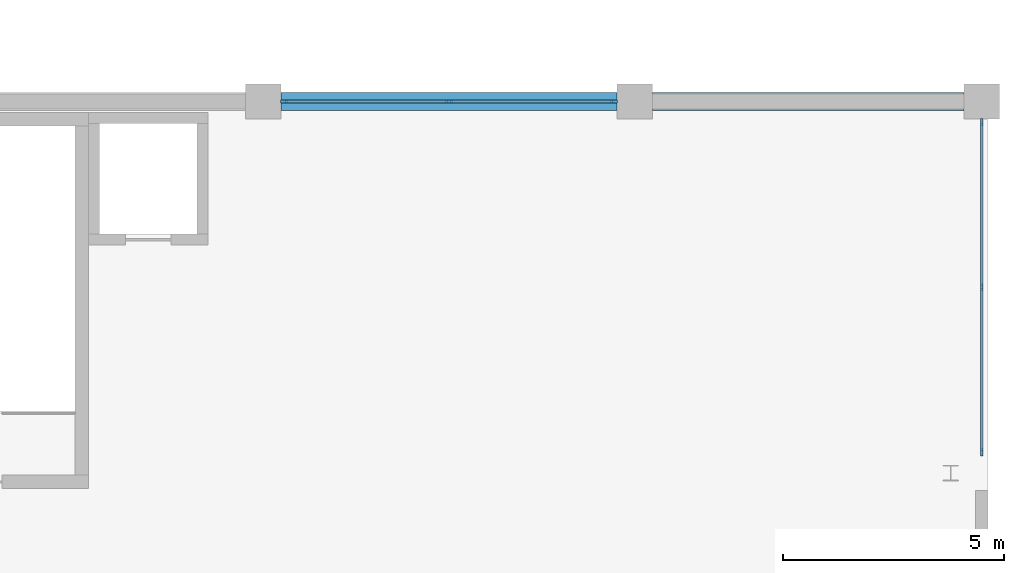
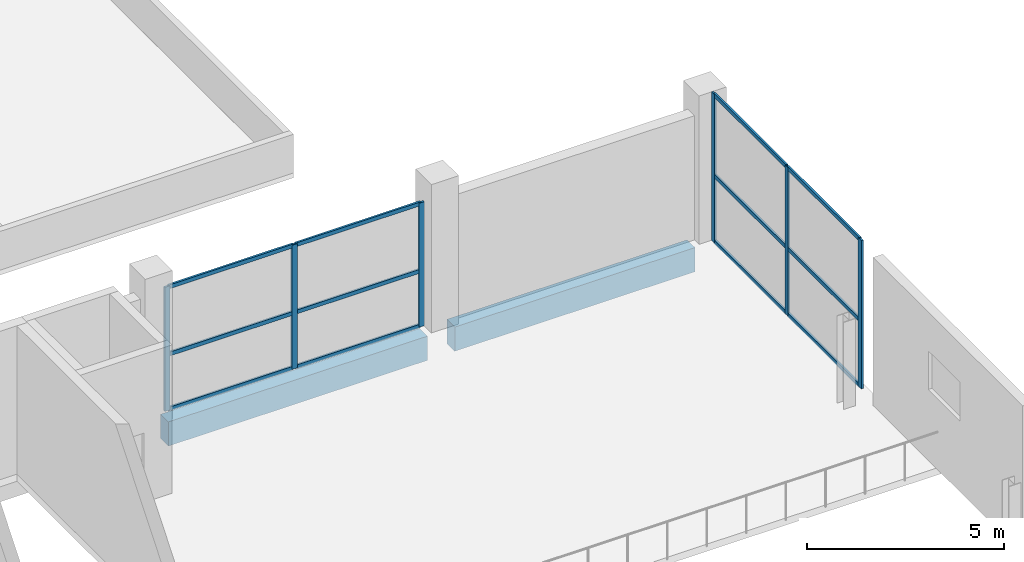
# One storey, part 16 of 31: 18 members, 2 beams, 2 elements without a shape of their own.
"""IFC4 building model written with IfcOpenShell, lengths in metres."""

from ifc_helpers import new_model, si_unit, direction, frame, origin, origin_2d, place, context, subcontext, project, spatial, rectangle, extrude, material, material_profile, profile_set, type_object, element, aggregate, save


model = new_model("IFC4")

# Units and contexts
model_context = context("Model", 3, precision=1e-05, world=origin(), true_north=direction((0.0, 1.0)))
body_context = subcontext(model_context, "Body", "Model", "MODEL_VIEW")
ifc_project = project(units=[si_unit("LENGTHUNIT", "METRE"), si_unit("AREAUNIT", "SQUARE_METRE"), si_unit("VOLUMEUNIT", "CUBIC_METRE"), si_unit("PLANEANGLEUNIT", "RADIAN"), si_unit("MASSUNIT", "GRAM", prefix="KILO")], contexts=[model_context])

# Site, building, storey
site_placement = place(None, origin())
site = spatial("IfcSite", under=ifc_project, at=site_placement, CompositionType="ELEMENT")
building_placement = place(site_placement, origin())
building = spatial("IfcBuilding", under=site, at=building_placement, Name="Brinegate Botanical Conservatory", CompositionType="ELEMENT")
storey_placement = place(building_placement, frame((0.0, 0.0, 5.39990234375)))
storey = spatial("IfcBuildingStorey", under=building, at=storey_placement, Name="L02", CompositionType="ELEMENT", Elevation=5.39990234375)

# Beams
ifc_material_1 = material(Name="Concrete C50/60", Category="concrete")
ifc_material_profile_1 = material_profile(ifc_material_1, rectangle(XDim=0.39990234375, YDim=0.75, at=origin_2d()), Name="RC BM 400x750")
ifc_profile_set_1 = profile_set([ifc_material_profile_1], Name="Concrete C50/60")
beam_type = type_object("IfcBeamType", Name="Beam_BM-T1", PredefinedType="BEAM", material=ifc_profile_set_1)
beam_1_placement = place(storey_placement, frame((147.60009765625, 42.0, -0.594970703125), z_axis=(1.0, 0.0, 0.0), x_axis=(0.0, 1.0, 0.0)))
element("IfcBeam", 1, at=beam_1_placement, inside=storey, type_object=beam_type, Name="Beam BM-T1 L02 F:19-20", PredefinedType="BEAM", context=body_context, shape_type="SweptSolid", body=[
    extrude(rectangle(XDim=0.39990234375, YDim=0.75, at=origin_2d()), origin(), (0.0, 0.0, 1.0), 7.599853515625),
])
beam_2_placement = place(storey_placement, frame((156.0, 42.0, -0.594970703125), z_axis=(1.0, 0.0, 0.0), x_axis=(0.0, 1.0, 0.0)))
element("IfcBeam", 2, at=beam_2_placement, inside=storey, type_object=beam_type, Name="Beam BM-T1 L02 F:20-21", PredefinedType="BEAM", context=body_context, shape_type="SweptSolid", body=[
    extrude(rectangle(XDim=0.39990234375, YDim=0.75, at=origin_2d()), origin(), (0.0, 0.0, 1.0), 7.050048828125),
])

# Curtain wall, members
ifc_material_2 = material(Name="Thermally broken anodised aluminium AW-6063-T6", Category="aluminium")
curtain_wall_type = type_object("IfcCurtainWallType", Name="CW_CW-V2", PredefinedType="USERDEFINED", material=ifc_material_2)
curtain_wall_1_placement = place(storey_placement, origin())
curtain_wall_1 = element("IfcCurtainWall", 3, at=curtain_wall_1_placement, inside=storey, type_object=curtain_wall_type, Name="Auditorium upper foyer curtain wall", ObjectType="FACTORY CURTAIN WALL", PredefinedType="USERDEFINED")
ifc_material_profile_2 = material_profile(ifc_material_2, rectangle(XDim=0.06005859375, YDim=0.159912109375, at=origin_2d()), Name="ALUM MULLION 60x160")
ifc_profile_set_2 = profile_set([ifc_material_profile_2], Name="Thermally broken anodised aluminium AW-6063-T6")
member_type_1 = type_object("IfcMemberType", Name="Member_ML-01", PredefinedType="MULLION", material=ifc_profile_set_2)
member_1_placement = place(storey_placement, frame((163.449951171875, 41.530029296875, 0.0), z_axis=(0.0, 0.0, 1.0), x_axis=(1.0, 0.0, 0.0)))
member_1 = element("IfcMember", 4, at=member_1_placement, type_object=member_type_1, Name="CW-V2 mullion 1", PredefinedType="MULLION", context=body_context, shape_type="SweptSolid", body=[
    extrude(rectangle(XDim=0.06005859375, YDim=0.159912109375, at=origin_2d()), origin(), (0.0, 0.0, 1.0), 4.60009765625),
])
member_2_placement = place(storey_placement, frame((163.449951171875, 37.800048828125, 0.0), z_axis=(0.0, 0.0, 1.0), x_axis=(1.0, 0.0, 0.0)))
member_2 = element("IfcMember", 5, at=member_2_placement, type_object=member_type_1, Name="CW-V2 mullion 2", PredefinedType="MULLION", context=body_context, shape_type="SweptSolid", body=[
    extrude(rectangle(XDim=0.06005859375, YDim=0.159912109375, at=origin_2d()), origin(), (0.0, 0.0, 1.0), 4.60009765625),
])
member_3_placement = place(storey_placement, frame((163.449951171875, 34.070068359375, 0.0), z_axis=(0.0, 0.0, 1.0), x_axis=(1.0, 0.0, 0.0)))
member_3 = element("IfcMember", 6, at=member_3_placement, type_object=member_type_1, Name="CW-V2 mullion 3", PredefinedType="MULLION", context=body_context, shape_type="SweptSolid", body=[
    extrude(rectangle(XDim=0.06005859375, YDim=0.159912109375, at=origin_2d()), origin(), (0.0, 0.0, 1.0), 4.60009765625),
])

curtain_wall_2_placement = place(storey_placement, origin())
curtain_wall_2 = element("IfcCurtainWall", 7, at=curtain_wall_2_placement, inside=storey, type_object=curtain_wall_type, Name="Auditorium north foyer curtain bay L02", ObjectType="FACTORY CURTAIN WALL", PredefinedType="USERDEFINED")
member_4_placement = place(storey_placement, frame((147.669921875, 42.0, 0.0), z_axis=(0.0, 0.0, 1.0), x_axis=(0.0, 1.0, 0.0)))
member_4 = element("IfcMember", 8, at=member_4_placement, type_object=member_type_1, Name="CW-V2 mullion 1", PredefinedType="MULLION", context=body_context, shape_type="SweptSolid", body=[
    extrude(rectangle(XDim=0.06005859375, YDim=0.159912109375, at=origin_2d()), origin(), (0.0, 0.0, 1.0), 3.85009765625),
])
member_5_placement = place(storey_placement, frame((151.39990234375, 42.0, 0.0), z_axis=(0.0, 0.0, 1.0), x_axis=(0.0, 1.0, 0.0)))
member_5 = element("IfcMember", 9, at=member_5_placement, type_object=member_type_1, Name="CW-V2 mullion 2", PredefinedType="MULLION", context=body_context, shape_type="SweptSolid", body=[
    extrude(rectangle(XDim=0.06005859375, YDim=0.159912109375, at=origin_2d()), origin(), (0.0, 0.0, 1.0), 3.85009765625),
])
member_6_placement = place(storey_placement, frame((155.1298828125, 42.0, 0.0), z_axis=(0.0, 0.0, 1.0), x_axis=(0.0, 1.0, 0.0)))
member_6 = element("IfcMember", 10, at=member_6_placement, type_object=member_type_1, Name="CW-V2 mullion 3", PredefinedType="MULLION", context=body_context, shape_type="SweptSolid", body=[
    extrude(rectangle(XDim=0.06005859375, YDim=0.159912109375, at=origin_2d()), origin(), (0.0, 0.0, 1.0), 3.85009765625),
])

# Member
ifc_material_profile_3 = material_profile(ifc_material_2, rectangle(XDim=0.06005859375, YDim=0.1201171875, at=origin_2d()), Name="ALUM TRANSOM 60x120")
ifc_profile_set_3 = profile_set([ifc_material_profile_3], Name="Thermally broken anodised aluminium AW-6063-T6")
member_type_2 = type_object("IfcMemberType", Name="Member_TR-01", PredefinedType="USERDEFINED", material=ifc_profile_set_3)
member_7_placement = place(storey_placement, frame((163.449951171875, 41.5, 0.030029296875), z_axis=(0.0, -1.0, 0.0), x_axis=(1.0, 0.0, 0.0)))
member_7 = element("IfcMember", 11, at=member_7_placement, type_object=member_type_2, Name="CW-V2 transom 1.1", ObjectType="TRANSOM", PredefinedType="USERDEFINED", context=body_context, shape_type="SweptSolid", body=[
    extrude(rectangle(XDim=0.06005859375, YDim=0.1201171875, at=origin_2d()), origin(), (0.0, 0.0, 1.0), 3.669921875),
])

member_8_placement = place(storey_placement, frame((163.449951171875, 41.5, 2.070068359375), z_axis=(0.0, -1.0, 0.0), x_axis=(1.0, 0.0, 0.0)))
member_8 = element("IfcMember", 12, at=member_8_placement, type_object=member_type_2, Name="CW-V2 transom 1.2", ObjectType="TRANSOM", PredefinedType="USERDEFINED", context=body_context, shape_type="SweptSolid", body=[
    extrude(rectangle(XDim=0.06005859375, YDim=0.1201171875, at=origin_2d()), origin(), (0.0, 0.0, 1.0), 3.669921875),
])

member_9_placement = place(storey_placement, frame((163.449951171875, 41.5, 4.570068359375), z_axis=(0.0, -1.0, 0.0), x_axis=(1.0, 0.0, 0.0)))
member_9 = element("IfcMember", 13, at=member_9_placement, type_object=member_type_2, Name="CW-V2 transom 1.3", ObjectType="TRANSOM", PredefinedType="USERDEFINED", context=body_context, shape_type="SweptSolid", body=[
    extrude(rectangle(XDim=0.06005859375, YDim=0.1201171875, at=origin_2d()), origin(), (0.0, 0.0, 1.0), 3.669921875),
])

member_10_placement = place(storey_placement, frame((163.449951171875, 37.77001953125, 0.030029296875), z_axis=(0.0, -1.0, 0.0), x_axis=(1.0, 0.0, 0.0)))
member_10 = element("IfcMember", 14, at=member_10_placement, type_object=member_type_2, Name="CW-V2 transom 2.1", ObjectType="TRANSOM", PredefinedType="USERDEFINED", context=body_context, shape_type="SweptSolid", body=[
    extrude(rectangle(XDim=0.06005859375, YDim=0.1201171875, at=origin_2d()), origin(), (0.0, 0.0, 1.0), 3.669921875),
])

member_11_placement = place(storey_placement, frame((163.449951171875, 37.77001953125, 2.070068359375), z_axis=(0.0, -1.0, 0.0), x_axis=(1.0, 0.0, 0.0)))
member_11 = element("IfcMember", 15, at=member_11_placement, type_object=member_type_2, Name="CW-V2 transom 2.2", ObjectType="TRANSOM", PredefinedType="USERDEFINED", context=body_context, shape_type="SweptSolid", body=[
    extrude(rectangle(XDim=0.06005859375, YDim=0.1201171875, at=origin_2d()), origin(), (0.0, 0.0, 1.0), 3.669921875),
])

member_12_placement = place(storey_placement, frame((163.449951171875, 37.77001953125, 4.570068359375), z_axis=(0.0, -1.0, 0.0), x_axis=(1.0, 0.0, 0.0)))
member_12 = element("IfcMember", 16, at=member_12_placement, type_object=member_type_2, Name="CW-V2 transom 2.3", ObjectType="TRANSOM", PredefinedType="USERDEFINED", context=body_context, shape_type="SweptSolid", body=[
    extrude(rectangle(XDim=0.06005859375, YDim=0.1201171875, at=origin_2d()), origin(), (0.0, 0.0, 1.0), 3.669921875),
])

aggregate(curtain_wall_1, [member_1, member_2, member_3, member_7, member_8, member_9, member_10, member_11, member_12])

member_13_placement = place(storey_placement, frame((147.699951171875, 42.0, 0.030029296875), z_axis=(1.0, 0.0, 0.0), x_axis=(0.0, 1.0, 0.0)))
member_13 = element("IfcMember", 17, at=member_13_placement, type_object=member_type_2, Name="CW-V2 transom 1.1", ObjectType="TRANSOM", PredefinedType="USERDEFINED", context=body_context, shape_type="SweptSolid", body=[
    extrude(rectangle(XDim=0.06005859375, YDim=0.1201171875, at=origin_2d()), origin(), (0.0, 0.0, 1.0), 3.670166015625),
])

member_14_placement = place(storey_placement, frame((147.699951171875, 42.0, 1.733154296875), z_axis=(1.0, 0.0, 0.0), x_axis=(0.0, 1.0, 0.0)))
member_14 = element("IfcMember", 18, at=member_14_placement, type_object=member_type_2, Name="CW-V2 transom 1.2", ObjectType="TRANSOM", PredefinedType="USERDEFINED", context=body_context, shape_type="SweptSolid", body=[
    extrude(rectangle(XDim=0.06005859375, YDim=0.1201171875, at=origin_2d()), origin(), (0.0, 0.0, 1.0), 3.670166015625),
])

member_15_placement = place(storey_placement, frame((147.699951171875, 42.0, 3.820068359375), z_axis=(1.0, 0.0, 0.0), x_axis=(0.0, 1.0, 0.0)))
member_15 = element("IfcMember", 19, at=member_15_placement, type_object=member_type_2, Name="CW-V2 transom 1.3", ObjectType="TRANSOM", PredefinedType="USERDEFINED", context=body_context, shape_type="SweptSolid", body=[
    extrude(rectangle(XDim=0.06005859375, YDim=0.1201171875, at=origin_2d()), origin(), (0.0, 0.0, 1.0), 3.670166015625),
])

member_16_placement = place(storey_placement, frame((151.429931640625, 42.0, 0.030029296875), z_axis=(1.0, 0.0, 0.0), x_axis=(0.0, 1.0, 0.0)))
member_16 = element("IfcMember", 20, at=member_16_placement, type_object=member_type_2, Name="CW-V2 transom 2.1", ObjectType="TRANSOM", PredefinedType="USERDEFINED", context=body_context, shape_type="SweptSolid", body=[
    extrude(rectangle(XDim=0.06005859375, YDim=0.1201171875, at=origin_2d()), origin(), (0.0, 0.0, 1.0), 3.670166015625),
])

member_17_placement = place(storey_placement, frame((151.429931640625, 42.0, 1.733154296875), z_axis=(1.0, 0.0, 0.0), x_axis=(0.0, 1.0, 0.0)))
member_17 = element("IfcMember", 21, at=member_17_placement, type_object=member_type_2, Name="CW-V2 transom 2.2", ObjectType="TRANSOM", PredefinedType="USERDEFINED", context=body_context, shape_type="SweptSolid", body=[
    extrude(rectangle(XDim=0.06005859375, YDim=0.1201171875, at=origin_2d()), origin(), (0.0, 0.0, 1.0), 3.670166015625),
])

member_18_placement = place(storey_placement, frame((151.429931640625, 42.0, 3.820068359375), z_axis=(1.0, 0.0, 0.0), x_axis=(0.0, 1.0, 0.0)))
member_18 = element("IfcMember", 22, at=member_18_placement, type_object=member_type_2, Name="CW-V2 transom 2.3", ObjectType="TRANSOM", PredefinedType="USERDEFINED", context=body_context, shape_type="SweptSolid", body=[
    extrude(rectangle(XDim=0.06005859375, YDim=0.1201171875, at=origin_2d()), origin(), (0.0, 0.0, 1.0), 3.670166015625),
])

aggregate(curtain_wall_2, [member_4, member_5, member_6, member_13, member_14, member_15, member_16, member_17, member_18])

save(model, "model.ifc")
